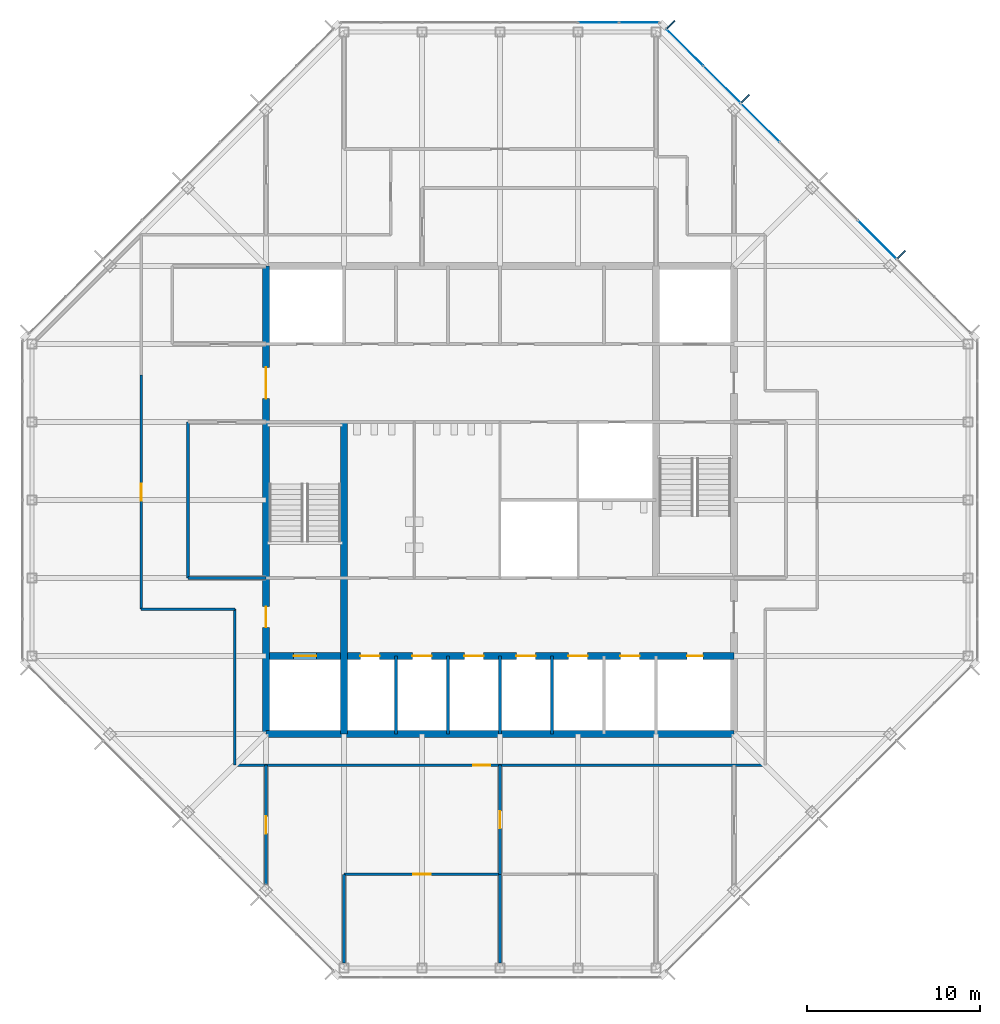
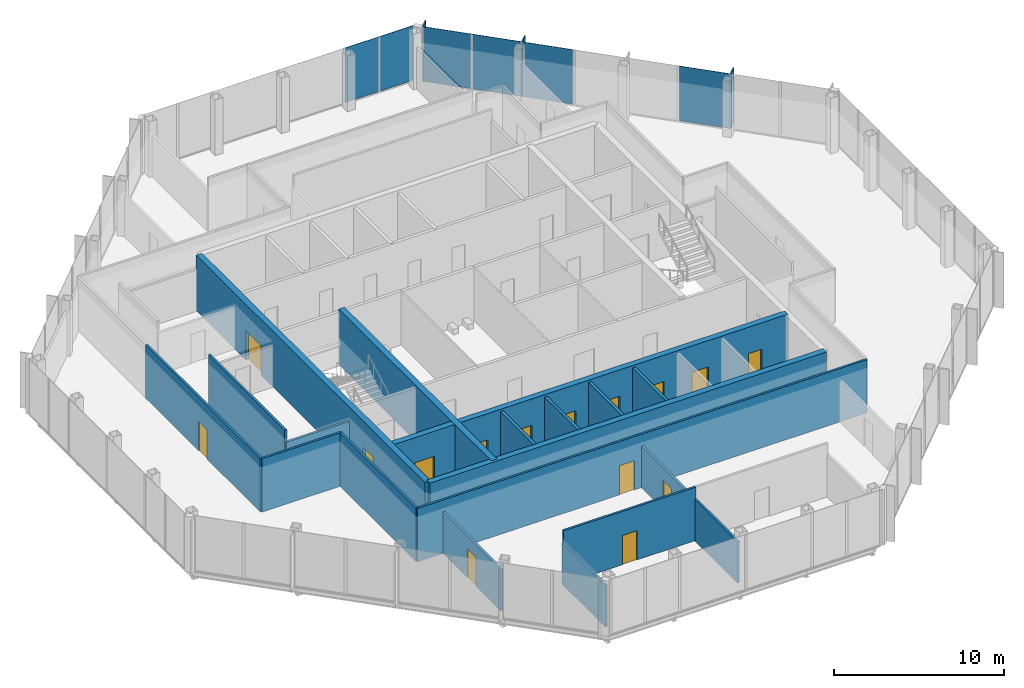
# One storey, part 9 of 13: 19 walls, 15 doors, 9 plates, 15 openings, 2 elements without a shape of their own.
"""IFC4 building model written with IfcOpenShell, lengths in metres."""

from ifc_helpers import new_model, si_unit, direction, frame, frame_2d, origin, origin_2d, place, context, subcontext, project, spatial, rectangle, extrude, material, layer, layer_set, type_object, element, fill, aggregate, save


model = new_model("IFC4")

# Units and contexts
model_context = context("Model", 3, precision=1e-05, world=origin(), true_north=direction((0.0, 1.0)))
body_context = subcontext(model_context, "Body", "Model", "MODEL_VIEW")
ifc_project = project(units=[si_unit("LENGTHUNIT", "METRE"), si_unit("AREAUNIT", "SQUARE_METRE"), si_unit("VOLUMEUNIT", "CUBIC_METRE"), si_unit("PLANEANGLEUNIT", "RADIAN"), si_unit("MASSUNIT", "GRAM", prefix="KILO")], contexts=[model_context])

# Site, building, storey
site_placement = place(None, origin())
site = spatial("IfcSite", under=ifc_project, at=site_placement, CompositionType="ELEMENT")
building_placement = place(site_placement, origin())
building = spatial("IfcBuilding", under=site, at=building_placement, Name="Corais Broadcast Tower", CompositionType="ELEMENT")
storey_placement = place(building_placement, frame((0.0, 0.0, 306.60009765625)))
storey = spatial("IfcBuildingStorey", under=building, at=storey_placement, Name="L72", CompositionType="ELEMENT", Elevation=306.60009765625)

# Curtain wall, plate
ifc_material_1 = material(Name="Aluminium and glass", Category="aluminium")
curtain_wall_type = type_object("IfcCurtainWallType", Name="Unitised fritted curtain wall CW3", PredefinedType="NOTDEFINED", material=ifc_material_1)
curtain_wall_1_placement = place(storey_placement, origin())
curtain_wall_1 = element("IfcCurtainWall", 1, at=curtain_wall_1_placement, inside=storey, type_object=curtain_wall_type, Name="CW3 curtain wall L72 4", PredefinedType="NOTDEFINED")
ifc_material_2 = material(Name="Ceramic-fritted laminated glass", Category="glass")
ifc_layer_1 = layer(ifc_material_2, 0.02587890625)
ifc_layer_set_1 = layer_set([ifc_layer_1], Name="Ceramic-fritted laminated glass")
plate_type_1 = type_object("IfcPlateType", Name="Fritted glass panel CW3", PredefinedType="CURTAIN_PANEL", material=ifc_layer_set_1)
plate_1_placement = place(storey_placement, frame((32.681884765625, 54.550048828125, 0.06494140625), z_axis=(0.0, 0.0, 1.0), x_axis=(1.0, 0.0, 0.0)))
plate_1 = element("IfcPlate", 2, at=plate_1_placement, type_object=plate_type_1, Name="CW3 panel 5", PredefinedType="CURTAIN_PANEL", context=body_context, shape_type="SweptSolid", body=[
    extrude(rectangle(XDim=2.298828125, YDim=0.02587890625, at=origin_2d()), origin(), (0.0, 0.0, 1.0), 3.93505859375),
])

# Curtain wall, plates
curtain_wall_2_placement = place(storey_placement, origin())
curtain_wall_2 = element("IfcCurtainWall", 3, at=curtain_wall_2_placement, inside=storey, type_object=curtain_wall_type, Name="CW3 curtain wall L72 5", PredefinedType="NOTDEFINED")
plate_2_placement = place(storey_placement, frame((37.669677734375, 53.108154296875, 0.06494140625), z_axis=(0.0, 0.0, 1.0), x_axis=(0.707106781187, -0.707106781187, 0.0)))
plate_2 = element("IfcPlate", 4, at=plate_2_placement, type_object=plate_type_1, Name="CW3 panel 1", PredefinedType="CURTAIN_PANEL", context=body_context, shape_type="SweptSolid", body=[
    extrude(rectangle(XDim=2.9482421875, YDim=0.02587890625, at=origin_2d()), origin(), (0.0, 0.0, 1.0), 3.93505859375),
])
plate_3_placement = place(storey_placement, frame((42.013916015625, 48.763916015625, 0.06494140625), z_axis=(0.0, 0.0, 1.0), x_axis=(0.707106781187, -0.707106781187, 0.0)))
plate_3 = element("IfcPlate", 5, at=plate_3_placement, type_object=plate_type_1, Name="CW3 panel 3", PredefinedType="CURTAIN_PANEL", context=body_context, shape_type="SweptSolid", body=[
    extrude(rectangle(XDim=3.116943359375, YDim=0.02587890625, at=origin_2d()), origin(), (0.0, 0.0, 1.0), 3.93505859375),
])

# Plate
ifc_material_3 = material(Name="Clear laminated glass", Category="glass")
ifc_layer_2 = layer(ifc_material_3, 0.030029296875)
ifc_layer_set_2 = layer_set([ifc_layer_2], Name="Clear laminated glass")
plate_type_2 = type_object("IfcPlateType", Name="Operable glass panel CW3", PredefinedType="CURTAIN_PANEL", material=ifc_layer_set_2)
plate_4_placement = place(storey_placement, frame((35.029541015625, 54.550048828125, 0.06494140625), z_axis=(0.0, 0.0, 1.0), x_axis=(1.0, 0.0, 0.0)))
plate_4 = element("IfcPlate", 6, at=plate_4_placement, type_object=plate_type_2, Name="CW3 operable panel 6", PredefinedType="CURTAIN_PANEL", context=body_context, shape_type="SweptSolid", body=[
    extrude(rectangle(XDim=2.266357421875, YDim=0.030029296875, at=origin_2d()), origin(), (0.0, 0.0, 1.0), 3.93505859375),
])

aggregate(curtain_wall_1, [plate_1, plate_4])

plate_5_placement = place(storey_placement, frame((39.81201171875, 50.9658203125, 0.06494140625), z_axis=(0.0, 0.0, 1.0), x_axis=(0.707106781187, -0.707106781187, 0.0)))
plate_5 = element("IfcPlate", 7, at=plate_5_placement, type_object=plate_type_2, Name="CW3 operable panel 2", PredefinedType="CURTAIN_PANEL", context=body_context, shape_type="SweptSolid", body=[
    extrude(rectangle(XDim=2.98095703125, YDim=0.030029296875, at=origin_2d()), origin(), (0.0, 0.0, 1.0), 3.93505859375),
])

plate_6_placement = place(storey_placement, frame((48.763916015625, 42.013916015625, 0.06494140625), z_axis=(0.0, 0.0, 1.0), x_axis=(0.707106781187, -0.707106781187, 0.0)))
plate_6 = element("IfcPlate", 8, at=plate_6_placement, type_object=plate_type_2, Name="CW3 operable panel 6", PredefinedType="CURTAIN_PANEL", context=body_context, shape_type="SweptSolid", body=[
    extrude(rectangle(XDim=3.116943359375, YDim=0.030029296875, at=origin_2d()), origin(), (0.0, 0.0, 1.0), 3.93505859375),
])

aggregate(curtain_wall_2, [plate_2, plate_5, plate_3, plate_6])

# Plates
ifc_material_4 = material(Name="Granite stone cladding", Category="masonry")
ifc_layer_3 = layer(ifc_material_4, 0.080078125)
ifc_layer_set_3 = layer_set([ifc_layer_3], Name="Granite stone cladding")
plate_type_3 = type_object("IfcPlateType", Name="Stone screen fin 80x600", PredefinedType="USERDEFINED", material=ifc_layer_set_3)
for number, where, z_axis, x_axis, name in (
    (9, (36.870849609375, 54.43994140625, 0.0), (0.0, 0.0, 1.0), (0.707106781187, -0.707106781187, 0.0), "SF1 stone screen fin L72"),
    (10, (41.155517578125, 50.155517578125, 0.0), (0.0, 0.0, 1.0), (0.707106781187, -0.707106781187, 0.0), "SF1 stone screen fin L72"),
    (11, (50.155517578125, 41.155517578125, 0.0), (0.0, 0.0, 1.0), (0.707106781187, -0.707106781187, 0.0), "SF1 stone screen fin L72"),
):
    element("IfcPlate", number, at=place(storey_placement, frame(where, z_axis=z_axis, x_axis=x_axis)), inside=storey, type_object=plate_type_3, Name=name, ObjectType="STONE SCREEN FIN", PredefinedType="USERDEFINED", context=body_context, shape_type="SweptSolid", body=[
        extrude(rectangle(XDim=0.080078125, YDim=0.60009765625, at=origin_2d()), origin(), (0.0, 0.0, 1.0), 4.0),
    ])

# Wall
ifc_material_5 = material(Name="Concrete C50/60", Category="concrete")
ifc_layer_4 = layer(ifc_material_5, 0.39990234375)
ifc_layer_set_4 = layer_set([ifc_layer_4], Name="Concrete C50/60")
wall_type_1 = type_object("IfcWallType", Name="Core wall 400", PredefinedType="SHEAR", material=ifc_layer_set_4)
wall_1_placement = place(storey_placement, frame((13.5, 13.5, 0.0), z_axis=(0.0, 0.0, 1.0), x_axis=(1.0, 0.0, 0.0)))
element("IfcWall", 12, at=wall_1_placement, inside=storey, type_object=wall_type_1, Name="CR400 core wall S L72", PredefinedType="SHEAR", context=body_context, shape_type="SweptSolid", body=[
    extrude(rectangle(XDim=27.0, YDim=0.39990234375, at=frame_2d((13.5, 0.0))), origin(), (0.0, 0.0, 1.0), 4.0),
])

# Wall, openings, doors
wall_2_placement = place(storey_placement, frame((13.5, 40.5, 0.0), z_axis=(0.0, 0.0, 1.0), x_axis=(0.0, -1.0, 0.0)))
wall_2 = element("IfcWall", 13, at=wall_2_placement, inside=storey, type_object=wall_type_1, Name="CR400 core wall W L72", PredefinedType="SHEAR", context=body_context, shape_type="SweptSolid", body=[
    extrude(rectangle(XDim=27.0, YDim=0.39990234375, at=frame_2d((13.5, 0.0))), origin(), (0.0, 0.0, 1.0), 4.0),
])
opening_1_placement = place(wall_2_placement, frame((19.64990234375, 0.0, 0.0)))
opening_1 = element("IfcOpeningElement", 14, at=opening_1_placement, cuts=wall_2, Name="Opening FD1", PredefinedType="OPENING", context=body_context, shape_type="SweptSolid", body=[
    extrude(rectangle(XDim=1.199951171875, YDim=2.10009765625, at=frame_2d((0.60009765625, 1.050048828125))), frame((0.0, 0.2099609375, 0.0), z_axis=(0.0, -1.0, 0.0), x_axis=(1.0, 0.0, 0.0)), (0.0, 0.0, 1.0), 0.419921875),
])
opening_2_placement = place(wall_2_placement, frame((5.85009765625, 0.0, 0.0)))
opening_2 = element("IfcOpeningElement", 15, at=opening_2_placement, cuts=wall_2, Name="Opening FD2", PredefinedType="OPENING", context=body_context, shape_type="SweptSolid", body=[
    extrude(rectangle(XDim=1.800048828125, YDim=2.10009765625, at=frame_2d((0.89990234375, 1.050048828125))), frame((0.0, 0.2099609375, 0.0), z_axis=(0.0, -1.0, 0.0), x_axis=(1.0, 0.0, 0.0)), (0.0, 0.0, 1.0), 0.419921875),
])
ifc_material_6 = material(Name="Steel fire door", Category="steel")
door_type_1 = type_object("IfcDoorType", Name="Fire door 1200x2100", OperationType="SINGLE_SWING_LEFT", PredefinedType="DOOR", material=ifc_material_6)
door_1_placement = place(opening_1_placement, origin())
door_1 = element("IfcDoor", 16, at=door_1_placement, inside=storey, type_object=door_type_1, Name="FD1 fire lobby A door L72", OperationType="SINGLE_SWING_RIGHT", OverallHeight=2.10009765625, OverallWidth=1.199951171875, PredefinedType="DOOR", context=body_context, shape_type="SweptSolid", body=[
    extrude(rectangle(XDim=1.199951171875, YDim=2.10009765625, at=frame_2d((0.60009765625, 1.050048828125))), frame((0.0, 0.02490234375, 0.0), z_axis=(0.0, -1.0, 0.0), x_axis=(1.0, 0.0, 0.0)), (0.0, 0.0, 1.0), 0.050048828125),
])
fill(opening_1, door_1)
ifc_material_7 = material(Name="Steel fire door", Category="steel")
door_type_2 = type_object("IfcDoorType", Name="Fire door pair 1800x2100", OperationType="DOUBLE_DOOR_SINGLE_SWING", PredefinedType="DOOR", material=ifc_material_7)
door_2_placement = place(opening_2_placement, origin())
door_2 = element("IfcDoor", 17, at=door_2_placement, inside=storey, type_object=door_type_2, Name="FD2 lift lobby door L72", OperationType="SINGLE_SWING_LEFT", OverallHeight=2.10009765625, OverallWidth=1.800048828125, PredefinedType="DOOR", context=body_context, shape_type="SweptSolid", body=[
    extrude(rectangle(XDim=1.800048828125, YDim=2.10009765625, at=frame_2d((0.89990234375, 1.050048828125))), frame((0.0, 0.02490234375, 0.0), z_axis=(0.0, -1.0, 0.0), x_axis=(1.0, 0.0, 0.0)), (0.0, 0.0, 1.0), 0.050048828125),
])
fill(opening_2, door_2)

# Wall
wall_3_placement = place(storey_placement, frame((18.0, 13.5, 0.0), z_axis=(0.0, 0.0, 1.0), x_axis=(0.0, 1.0, 0.0)))
element("IfcWall", 18, at=wall_3_placement, inside=storey, type_object=wall_type_1, Name="CR400 core wall X18A L72", PredefinedType="SHEAR", context=body_context, shape_type="SweptSolid", body=[
    extrude(rectangle(XDim=18.0, YDim=0.39990234375, at=frame_2d((9.0, 0.0))), origin(), (0.0, 0.0, 1.0), 4.0),
])

# Wall, openings, doors
wall_4_placement = place(storey_placement, frame((13.5, 18.0, 0.0), z_axis=(0.0, 0.0, 1.0), x_axis=(1.0, 0.0, 0.0)))
wall_4 = element("IfcWall", 19, at=wall_4_placement, inside=storey, type_object=wall_type_1, Name="CR400 core wall Y18 L72", PredefinedType="SHEAR", context=body_context, shape_type="SweptSolid", body=[
    extrude(rectangle(XDim=27.0, YDim=0.39990234375, at=frame_2d((13.5, 0.0))), origin(), (0.0, 0.0, 1.0), 4.0),
])
opening_3_placement = place(wall_4_placement, frame((24.300048828125, 0.0, 0.0)))
opening_3 = element("IfcOpeningElement", 20, at=opening_3_placement, cuts=wall_4, Name="Opening RD1", PredefinedType="OPENING", context=body_context, shape_type="SweptSolid", body=[
    extrude(rectangle(XDim=0.89990234375, YDim=2.10009765625, at=frame_2d((0.449951171875, 1.050048828125))), frame((0.0, 0.2099609375, 0.0), z_axis=(0.0, -1.0, 0.0), x_axis=(1.0, 0.0, 0.0)), (0.0, 0.0, 1.0), 0.419921875),
])
opening_4_placement = place(wall_4_placement, frame((5.449951171875, 0.0, 0.0)))
opening_4 = element("IfcOpeningElement", 21, at=opening_4_placement, cuts=wall_4, Name="Opening LD1", PredefinedType="OPENING", context=body_context, shape_type="SweptSolid", body=[
    extrude(rectangle(XDim=1.10009765625, YDim=2.10009765625, at=frame_2d((0.550048828125, 1.050048828125))), frame((0.0, 0.2099609375, 0.0), z_axis=(0.0, -1.0, 0.0), x_axis=(1.0, 0.0, 0.0)), (0.0, 0.0, 1.0), 0.419921875),
])
opening_5_placement = place(wall_4_placement, frame((8.449951171875, 0.0, 0.0)))
opening_5 = element("IfcOpeningElement", 22, at=opening_5_placement, cuts=wall_4, Name="Opening LD1", PredefinedType="OPENING", context=body_context, shape_type="SweptSolid", body=[
    extrude(rectangle(XDim=1.10009765625, YDim=2.10009765625, at=frame_2d((0.550048828125, 1.050048828125))), frame((0.0, 0.2099609375, 0.0), z_axis=(0.0, -1.0, 0.0), x_axis=(1.0, 0.0, 0.0)), (0.0, 0.0, 1.0), 0.419921875),
])
opening_6_placement = place(wall_4_placement, frame((11.449951171875, 0.0, 0.0)))
opening_6 = element("IfcOpeningElement", 23, at=opening_6_placement, cuts=wall_4, Name="Opening LD1", PredefinedType="OPENING", context=body_context, shape_type="SweptSolid", body=[
    extrude(rectangle(XDim=1.10009765625, YDim=2.10009765625, at=frame_2d((0.550048828125, 1.050048828125))), frame((0.0, 0.2099609375, 0.0), z_axis=(0.0, -1.0, 0.0), x_axis=(1.0, 0.0, 0.0)), (0.0, 0.0, 1.0), 0.419921875),
])
opening_7_placement = place(wall_4_placement, frame((14.449951171875, 0.0, 0.0)))
opening_7 = element("IfcOpeningElement", 24, at=opening_7_placement, cuts=wall_4, Name="Opening LD1", PredefinedType="OPENING", context=body_context, shape_type="SweptSolid", body=[
    extrude(rectangle(XDim=1.10009765625, YDim=2.10009765625, at=frame_2d((0.550048828125, 1.050048828125))), frame((0.0, 0.2099609375, 0.0), z_axis=(0.0, -1.0, 0.0), x_axis=(1.0, 0.0, 0.0)), (0.0, 0.0, 1.0), 0.419921875),
])
opening_8_placement = place(wall_4_placement, frame((17.449951171875, 0.0, 0.0)))
opening_8 = element("IfcOpeningElement", 25, at=opening_8_placement, cuts=wall_4, Name="Opening LD1", PredefinedType="OPENING", context=body_context, shape_type="SweptSolid", body=[
    extrude(rectangle(XDim=1.10009765625, YDim=2.10009765625, at=frame_2d((0.550048828125, 1.050048828125))), frame((0.0, 0.2099609375, 0.0), z_axis=(0.0, -1.0, 0.0), x_axis=(1.0, 0.0, 0.0)), (0.0, 0.0, 1.0), 0.419921875),
])
opening_9_placement = place(wall_4_placement, frame((20.449951171875, 0.0, 0.0)))
opening_9 = element("IfcOpeningElement", 26, at=opening_9_placement, cuts=wall_4, Name="Opening LD1", PredefinedType="OPENING", context=body_context, shape_type="SweptSolid", body=[
    extrude(rectangle(XDim=1.10009765625, YDim=2.10009765625, at=frame_2d((0.550048828125, 1.050048828125))), frame((0.0, 0.2099609375, 0.0), z_axis=(0.0, -1.0, 0.0), x_axis=(1.0, 0.0, 0.0)), (0.0, 0.0, 1.0), 0.419921875),
])
opening_10_placement = place(wall_4_placement, frame((1.60009765625, 0.0, 0.0)))
opening_10 = element("IfcOpeningElement", 27, at=opening_10_placement, cuts=wall_4, Name="Opening LD2", PredefinedType="OPENING", context=body_context, shape_type="SweptSolid", body=[
    extrude(rectangle(XDim=1.300048828125, YDim=2.199951171875, at=frame_2d((0.64990234375, 1.10009765625))), frame((0.0, 0.2099609375, 0.0), z_axis=(0.0, -1.0, 0.0), x_axis=(1.0, 0.0, 0.0)), (0.0, 0.0, 1.0), 0.419921875),
])
ifc_material_8 = material(Name="Stainless steel lift door", Category="steel")
door_type_3 = type_object("IfcDoorType", Name="Lift landing door 1100x2100", OperationType="SLIDING_TO_LEFT", PredefinedType="DOOR", material=ifc_material_8)
door_3_placement = place(opening_4_placement, origin())
door_3 = element("IfcDoor", 28, at=door_3_placement, inside=storey, type_object=door_type_3, Name="LD1 PH1 landing door L72", OperationType="SLIDING_TO_LEFT", OverallHeight=2.10009765625, OverallWidth=1.10009765625, PredefinedType="DOOR", context=body_context, shape_type="SweptSolid", body=[
    extrude(rectangle(XDim=1.10009765625, YDim=2.10009765625, at=frame_2d((0.550048828125, 1.050048828125))), frame((0.0, 0.02490234375, 0.0), z_axis=(0.0, -1.0, 0.0), x_axis=(1.0, 0.0, 0.0)), (0.0, 0.0, 1.0), 0.050048828125),
])
fill(opening_4, door_3)
door_4_placement = place(opening_5_placement, origin())
door_4 = element("IfcDoor", 29, at=door_4_placement, inside=storey, type_object=door_type_3, Name="LD1 PH2 landing door L72", OperationType="SLIDING_TO_LEFT", OverallHeight=2.10009765625, OverallWidth=1.10009765625, PredefinedType="DOOR", context=body_context, shape_type="SweptSolid", body=[
    extrude(rectangle(XDim=1.10009765625, YDim=2.10009765625, at=frame_2d((0.550048828125, 1.050048828125))), frame((0.0, 0.02490234375, 0.0), z_axis=(0.0, -1.0, 0.0), x_axis=(1.0, 0.0, 0.0)), (0.0, 0.0, 1.0), 0.050048828125),
])
fill(opening_5, door_4)
door_5_placement = place(opening_6_placement, origin())
door_5 = element("IfcDoor", 30, at=door_5_placement, inside=storey, type_object=door_type_3, Name="LD1 PH3 landing door L72", OperationType="SLIDING_TO_LEFT", OverallHeight=2.10009765625, OverallWidth=1.10009765625, PredefinedType="DOOR", context=body_context, shape_type="SweptSolid", body=[
    extrude(rectangle(XDim=1.10009765625, YDim=2.10009765625, at=frame_2d((0.550048828125, 1.050048828125))), frame((0.0, 0.02490234375, 0.0), z_axis=(0.0, -1.0, 0.0), x_axis=(1.0, 0.0, 0.0)), (0.0, 0.0, 1.0), 0.050048828125),
])
fill(opening_6, door_5)
door_6_placement = place(opening_7_placement, origin())
door_6 = element("IfcDoor", 31, at=door_6_placement, inside=storey, type_object=door_type_3, Name="LD1 PH4 landing door L72", OperationType="SLIDING_TO_LEFT", OverallHeight=2.10009765625, OverallWidth=1.10009765625, PredefinedType="DOOR", context=body_context, shape_type="SweptSolid", body=[
    extrude(rectangle(XDim=1.10009765625, YDim=2.10009765625, at=frame_2d((0.550048828125, 1.050048828125))), frame((0.0, 0.02490234375, 0.0), z_axis=(0.0, -1.0, 0.0), x_axis=(1.0, 0.0, 0.0)), (0.0, 0.0, 1.0), 0.050048828125),
])
fill(opening_7, door_6)
door_7_placement = place(opening_8_placement, origin())
door_7 = element("IfcDoor", 32, at=door_7_placement, inside=storey, type_object=door_type_3, Name="LD1 PH5 landing door L72", OperationType="SLIDING_TO_LEFT", OverallHeight=2.10009765625, OverallWidth=1.10009765625, PredefinedType="DOOR", context=body_context, shape_type="SweptSolid", body=[
    extrude(rectangle(XDim=1.10009765625, YDim=2.10009765625, at=frame_2d((0.550048828125, 1.050048828125))), frame((0.0, 0.02490234375, 0.0), z_axis=(0.0, -1.0, 0.0), x_axis=(1.0, 0.0, 0.0)), (0.0, 0.0, 1.0), 0.050048828125),
])
fill(opening_8, door_7)
door_8_placement = place(opening_9_placement, origin())
door_8 = element("IfcDoor", 33, at=door_8_placement, inside=storey, type_object=door_type_3, Name="LD1 PH6 landing door L72", OperationType="SLIDING_TO_LEFT", OverallHeight=2.10009765625, OverallWidth=1.10009765625, PredefinedType="DOOR", context=body_context, shape_type="SweptSolid", body=[
    extrude(rectangle(XDim=1.10009765625, YDim=2.10009765625, at=frame_2d((0.550048828125, 1.050048828125))), frame((0.0, 0.02490234375, 0.0), z_axis=(0.0, -1.0, 0.0), x_axis=(1.0, 0.0, 0.0)), (0.0, 0.0, 1.0), 0.050048828125),
])
fill(opening_9, door_8)
ifc_material_9 = material(Name="Stainless steel lift door", Category="steel")
door_type_4 = type_object("IfcDoorType", Name="Lift landing door 1300x2200", OperationType="SLIDING_TO_LEFT", PredefinedType="DOOR", material=ifc_material_9)
door_9_placement = place(opening_10_placement, origin())
door_9 = element("IfcDoor", 34, at=door_9_placement, inside=storey, type_object=door_type_4, Name="LD2 FL1 landing door L72", OperationType="SLIDING_TO_LEFT", OverallHeight=2.199951171875, OverallWidth=1.300048828125, PredefinedType="DOOR", context=body_context, shape_type="SweptSolid", body=[
    extrude(rectangle(XDim=1.300048828125, YDim=2.199951171875, at=frame_2d((0.64990234375, 1.10009765625))), frame((0.0, 0.02490234375, 0.0), z_axis=(0.0, -1.0, 0.0), x_axis=(1.0, 0.0, 0.0)), (0.0, 0.0, 1.0), 0.050048828125),
])
fill(opening_10, door_9)
ifc_material_10 = material(Name="Steel fire door", Category="steel")
door_type_5 = type_object("IfcDoorType", Name="Riser door 900x2100", OperationType="SINGLE_SWING_LEFT", PredefinedType="DOOR", material=ifc_material_10)
door_10_placement = place(opening_3_placement, origin())
door_10 = element("IfcDoor", 35, at=door_10_placement, inside=storey, type_object=door_type_5, Name="RD1 riser door L72", OperationType="SINGLE_SWING_RIGHT", OverallHeight=2.10009765625, OverallWidth=0.89990234375, PredefinedType="DOOR", context=body_context, shape_type="SweptSolid", body=[
    extrude(rectangle(XDim=0.89990234375, YDim=2.10009765625, at=frame_2d((0.449951171875, 1.050048828125))), frame((0.0, 0.02490234375, 0.0), z_axis=(0.0, -1.0, 0.0), x_axis=(1.0, 0.0, 0.0)), (0.0, 0.0, 1.0), 0.050048828125),
])
fill(opening_3, door_10)

# Wall, opening, door
ifc_material_11 = material(Name="Gypsum board on steel studs", Category="steel")
ifc_layer_5 = layer(ifc_material_11, 0.14990234375)
ifc_layer_set_5 = layer_set([ifc_layer_5], Name="Gypsum board on steel studs")
wall_type_2 = type_object("IfcWallType", Name="Partition 150", PredefinedType="PARTITIONING", material=ifc_layer_set_5)
wall_5_placement = place(storey_placement, frame((11.699951171875, 11.699951171875, 0.0), z_axis=(0.0, 0.0, 1.0), x_axis=(1.0, 0.0, 0.0)))
wall_5 = element("IfcWall", 36, at=wall_5_placement, inside=storey, type_object=wall_type_2, Name="IW3 corridor wall L72", PredefinedType="PARTITIONING", context=body_context, shape_type="SweptSolid", body=[
    extrude(rectangle(XDim=30.60009765625, YDim=0.14990234375, at=frame_2d((15.300048828125, 0.0))), origin(), (0.0, 0.0, 1.0), 3.83984375),
])
opening_11_placement = place(wall_5_placement, frame((13.75, 0.0, 0.0)))
opening_11 = element("IfcOpeningElement", 37, at=opening_11_placement, cuts=wall_5, Name="Opening D1", PredefinedType="OPENING", context=body_context, shape_type="SweptSolid", body=[
    extrude(rectangle(XDim=1.0, YDim=2.10009765625, at=frame_2d((0.5, 1.050048828125))), frame((0.0, 0.0849609375, 0.0), z_axis=(0.0, -1.0, 0.0), x_axis=(1.0, 0.0, 0.0)), (0.0, 0.0, 1.0), 0.169921875),
])
ifc_material_12 = material(Name="Timber door", Category="wood")
door_type_6 = type_object("IfcDoorType", Name="Single door 1000x2100", OperationType="SINGLE_SWING_LEFT", PredefinedType="DOOR", material=ifc_material_12)
door_11_placement = place(opening_11_placement, origin())
door_11 = element("IfcDoor", 38, at=door_11_placement, inside=storey, type_object=door_type_6, Name="D1 workplace door L72", OperationType="SINGLE_SWING_LEFT", OverallHeight=2.10009765625, OverallWidth=1.0, PredefinedType="DOOR", context=body_context, shape_type="SweptSolid", body=[
    extrude(rectangle(XDim=1.0, YDim=2.10009765625, at=frame_2d((0.5, 1.050048828125))), frame((0.0, 0.02490234375, 0.0), z_axis=(0.0, -1.0, 0.0), x_axis=(1.0, 0.0, 0.0)), (0.0, 0.0, 1.0), 0.050048828125),
])
fill(opening_11, door_11)

wall_6_placement = place(storey_placement, frame((6.300048828125, 34.199951171875, 0.0), z_axis=(0.0, 0.0, 1.0), x_axis=(0.0, -1.0, 0.0)))
wall_6 = element("IfcWall", 39, at=wall_6_placement, inside=storey, type_object=wall_type_2, Name="IW3 corridor wall L72", PredefinedType="PARTITIONING", context=body_context, shape_type="SweptSolid", body=[
    extrude(rectangle(XDim=13.5, YDim=0.14990234375, at=frame_2d((6.75, 0.0))), origin(), (0.0, 0.0, 1.0), 3.83984375),
])
opening_12_placement = place(wall_6_placement, frame((6.25, 0.0, 0.0)))
opening_12 = element("IfcOpeningElement", 40, at=opening_12_placement, cuts=wall_6, Name="Opening D1", PredefinedType="OPENING", context=body_context, shape_type="SweptSolid", body=[
    extrude(rectangle(XDim=1.0, YDim=2.10009765625, at=frame_2d((0.5, 1.050048828125))), frame((0.0, 0.0849609375, 0.0), z_axis=(0.0, -1.0, 0.0), x_axis=(1.0, 0.0, 0.0)), (0.0, 0.0, 1.0), 0.169921875),
])
door_12_placement = place(opening_12_placement, origin())
door_12 = element("IfcDoor", 41, at=door_12_placement, inside=storey, type_object=door_type_6, Name="D1 workplace door L72", OperationType="SINGLE_SWING_LEFT", OverallHeight=2.10009765625, OverallWidth=1.0, PredefinedType="DOOR", context=body_context, shape_type="SweptSolid", body=[
    extrude(rectangle(XDim=1.0, YDim=2.10009765625, at=frame_2d((0.5, 1.050048828125))), frame((0.0, 0.02490234375, 0.0), z_axis=(0.0, -1.0, 0.0), x_axis=(1.0, 0.0, 0.0)), (0.0, 0.0, 1.0), 0.050048828125),
])
fill(opening_12, door_12)

# Walls
wall_7_placement = place(storey_placement, frame((11.699951171875, 20.699951171875, 0.0), z_axis=(0.0, 0.0, 1.0), x_axis=(0.0, -1.0, 0.0)))
element("IfcWall", 42, at=wall_7_placement, inside=storey, type_object=wall_type_2, Name="IW3 corridor wall L72", PredefinedType="PARTITIONING", context=body_context, shape_type="SweptSolid", body=[
    extrude(rectangle(XDim=9.0, YDim=0.14990234375, at=frame_2d((4.5, 0.0))), origin(), (0.0, 0.0, 1.0), 3.83984375),
])
wall_8_placement = place(storey_placement, frame((6.300048828125, 20.699951171875, 0.0), z_axis=(0.0, 0.0, 1.0), x_axis=(1.0, 0.0, 0.0)))
element("IfcWall", 43, at=wall_8_placement, inside=storey, type_object=wall_type_2, Name="IW3 corridor wall L72", PredefinedType="PARTITIONING", context=body_context, shape_type="SweptSolid", body=[
    extrude(rectangle(XDim=5.39990234375, YDim=0.14990234375, at=frame_2d((2.699951171875, 0.0))), origin(), (0.0, 0.0, 1.0), 3.83984375),
])
wall_9_placement = place(storey_placement, frame((27.0, 0.284912109375, 0.0), z_axis=(0.0, 0.0, 1.0), x_axis=(0.0, 1.0, 0.0)))
element("IfcWall", 44, at=wall_9_placement, inside=storey, type_object=wall_type_2, Name="IW3 partition L72", PredefinedType="PARTITIONING", context=body_context, shape_type="SweptSolid", body=[
    extrude(rectangle(XDim=5.114990234375, YDim=0.14990234375, at=frame_2d((2.5576171875, 0.0))), origin(), (0.0, 0.0, 1.0), 2.989013671875),
])

# Wall, opening, door
wall_10_placement = place(storey_placement, frame((27.0, 5.39990234375, 0.0), z_axis=(0.0, 0.0, 1.0), x_axis=(-1.0, 0.0, 0.0)))
wall_10 = element("IfcWall", 45, at=wall_10_placement, inside=storey, type_object=wall_type_2, Name="IW3 partition L72", PredefinedType="PARTITIONING", context=body_context, shape_type="SweptSolid", body=[
    extrude(rectangle(XDim=9.0, YDim=0.14990234375, at=frame_2d((4.5, 0.0))), origin(), (0.0, 0.0, 1.0), 3.83984375),
])
opening_13_placement = place(wall_10_placement, frame((4.0, 0.0, 0.0)))
opening_13 = element("IfcOpeningElement", 46, at=opening_13_placement, cuts=wall_10, Name="Opening D1", PredefinedType="OPENING", context=body_context, shape_type="SweptSolid", body=[
    extrude(rectangle(XDim=1.0, YDim=2.10009765625, at=frame_2d((0.5, 1.050048828125))), frame((0.0, 0.0849609375, 0.0), z_axis=(0.0, -1.0, 0.0), x_axis=(1.0, 0.0, 0.0)), (0.0, 0.0, 1.0), 0.169921875),
])
door_13_placement = place(opening_13_placement, origin())
door_13 = element("IfcDoor", 47, at=door_13_placement, inside=storey, type_object=door_type_6, Name="D1 Hospitality meeting room door", OperationType="SINGLE_SWING_LEFT", OverallHeight=2.10009765625, OverallWidth=1.0, PredefinedType="DOOR", context=body_context, shape_type="SweptSolid", body=[
    extrude(rectangle(XDim=1.0, YDim=2.10009765625, at=frame_2d((0.5, 1.050048828125))), frame((0.0, 0.02490234375, 0.0), z_axis=(0.0, -1.0, 0.0), x_axis=(1.0, 0.0, 0.0)), (0.0, 0.0, 1.0), 0.050048828125),
])
fill(opening_13, door_13)

# Walls
wall_11_placement = place(storey_placement, frame((18.0, 5.39990234375, 0.0), z_axis=(0.0, 0.0, 1.0), x_axis=(0.0, -1.0, 0.0)))
element("IfcWall", 48, at=wall_11_placement, inside=storey, type_object=wall_type_2, Name="IW3 partition L72", PredefinedType="PARTITIONING", context=body_context, shape_type="SweptSolid", body=[
    extrude(rectangle(XDim=5.114990234375, YDim=0.14990234375, at=frame_2d((2.5576171875, 0.0))), origin(), (0.0, 0.0, 1.0), 2.989013671875),
])
wall_12_placement = place(storey_placement, frame((9.0, 22.5, 0.0), z_axis=(0.0, 0.0, 1.0), x_axis=(1.0, 0.0, 0.0)))
element("IfcWall", 49, at=wall_12_placement, inside=storey, type_object=wall_type_2, Name="IW3 partition L72", PredefinedType="PARTITIONING", context=body_context, shape_type="SweptSolid", body=[
    extrude(rectangle(XDim=4.5, YDim=0.14990234375, at=frame_2d((2.25, 0.0))), origin(), (0.0, 0.0, 1.0), 2.989013671875),
])
wall_13_placement = place(storey_placement, frame((9.0, 31.5, 0.0), z_axis=(0.0, 0.0, 1.0), x_axis=(0.0, -1.0, 0.0)))
element("IfcWall", 50, at=wall_13_placement, inside=storey, type_object=wall_type_2, Name="IW3 partition L72", PredefinedType="PARTITIONING", context=body_context, shape_type="SweptSolid", body=[
    extrude(rectangle(XDim=9.0, YDim=0.14990234375, at=frame_2d((4.5, 0.0))), origin(), (0.0, 0.0, 1.0), 3.83984375),
])

# Wall, opening, door
wall_14_placement = place(storey_placement, frame((13.5, 4.794921875, 0.0), z_axis=(0.0, 0.0, 1.0), x_axis=(0.0, 1.0, 0.0)))
wall_14 = element("IfcWall", 51, at=wall_14_placement, inside=storey, type_object=wall_type_2, Name="IW3 partition L72", PredefinedType="PARTITIONING", context=body_context, shape_type="SweptSolid", body=[
    extrude(rectangle(XDim=6.905029296875, YDim=0.14990234375, at=frame_2d((3.45263671875, 0.0))), origin(), (0.0, 0.0, 1.0), 2.989013671875),
])
opening_14_placement = place(wall_14_placement, frame((2.952392578125, 0.0, 0.0)))
opening_14 = element("IfcOpeningElement", 52, at=opening_14_placement, cuts=wall_14, Name="Opening D1", PredefinedType="OPENING", context=body_context, shape_type="SweptSolid", body=[
    extrude(rectangle(XDim=1.0, YDim=2.10009765625, at=frame_2d((0.5, 1.050048828125))), frame((0.0, 0.0849609375, 0.0), z_axis=(0.0, -1.0, 0.0), x_axis=(1.0, 0.0, 0.0)), (0.0, 0.0, 1.0), 0.169921875),
])
door_14_placement = place(opening_14_placement, origin())
door_14 = element("IfcDoor", 53, at=door_14_placement, inside=storey, type_object=door_type_6, Name="D1 team room door L72", OperationType="SINGLE_SWING_LEFT", OverallHeight=2.10009765625, OverallWidth=1.0, PredefinedType="DOOR", context=body_context, shape_type="SweptSolid", body=[
    extrude(rectangle(XDim=1.0, YDim=2.10009765625, at=frame_2d((0.5, 1.050048828125))), frame((0.0, 0.02490234375, 0.0), z_axis=(0.0, -1.0, 0.0), x_axis=(1.0, 0.0, 0.0)), (0.0, 0.0, 1.0), 0.050048828125),
])
fill(opening_14, door_14)

wall_15_placement = place(storey_placement, frame((27.0, 11.699951171875, 0.0), z_axis=(0.0, 0.0, 1.0), x_axis=(0.0, -1.0, 0.0)))
wall_15 = element("IfcWall", 54, at=wall_15_placement, inside=storey, type_object=wall_type_2, Name="IW3 partition L72", PredefinedType="PARTITIONING", context=body_context, shape_type="SweptSolid", body=[
    extrude(rectangle(XDim=6.300048828125, YDim=0.14990234375, at=frame_2d((3.14990234375, 0.0))), origin(), (0.0, 0.0, 1.0), 2.989013671875),
])
opening_15_placement = place(wall_15_placement, frame((2.64990234375, 0.0, 0.0)))
opening_15 = element("IfcOpeningElement", 55, at=opening_15_placement, cuts=wall_15, Name="Opening D1", PredefinedType="OPENING", context=body_context, shape_type="SweptSolid", body=[
    extrude(rectangle(XDim=1.0, YDim=2.10009765625, at=frame_2d((0.5, 1.050048828125))), frame((0.0, 0.0849609375, 0.0), z_axis=(0.0, -1.0, 0.0), x_axis=(1.0, 0.0, 0.0)), (0.0, 0.0, 1.0), 0.169921875),
])
door_15_placement = place(opening_15_placement, origin())
door_15 = element("IfcDoor", 56, at=door_15_placement, inside=storey, type_object=door_type_6, Name="D1 team room door L72", OperationType="SINGLE_SWING_LEFT", OverallHeight=2.10009765625, OverallWidth=1.0, PredefinedType="DOOR", context=body_context, shape_type="SweptSolid", body=[
    extrude(rectangle(XDim=1.0, YDim=2.10009765625, at=frame_2d((0.5, 1.050048828125))), frame((0.0, 0.02490234375, 0.0), z_axis=(0.0, -1.0, 0.0), x_axis=(1.0, 0.0, 0.0)), (0.0, 0.0, 1.0), 0.050048828125),
])
fill(opening_15, door_15)

# Walls
ifc_material_13 = material(Name="Concrete blockwork class A, grouted, two-hour", Category="masonry")
ifc_layer_6 = layer(ifc_material_13, 0.199951171875)
ifc_layer_set_6 = layer_set([ifc_layer_6], Name="Concrete blockwork class A, grouted, two-hour")
wall_type_3 = type_object("IfcWallType", Name="Shaft wall 200", PredefinedType="PARTITIONING", material=ifc_layer_set_6)
for number, where, z_axis, x_axis, name in (
    (57, (21.0, 13.5, 0.0), (0.0, 0.0, 1.0), (0.0, 1.0, 0.0), "IW1 shaft wall L72"),
    (58, (24.0, 13.5, 0.0), (0.0, 0.0, 1.0), (0.0, 1.0, 0.0), "IW1 shaft wall L72"),
    (59, (27.0, 13.5, 0.0), (0.0, 0.0, 1.0), (0.0, 1.0, 0.0), "IW1 shaft wall L72"),
    (60, (30.0, 13.5, 0.0), (0.0, 0.0, 1.0), (0.0, 1.0, 0.0), "IW1 shaft wall L72"),
):
    element("IfcWall", number, at=place(storey_placement, frame(where, z_axis=z_axis, x_axis=x_axis)), inside=storey, type_object=wall_type_3, Name=name, PredefinedType="PARTITIONING", context=body_context, shape_type="SweptSolid", body=[
        extrude(rectangle(XDim=4.5, YDim=0.199951171875, at=frame_2d((2.25, 0.0))), origin(), (0.0, 0.0, 1.0), 3.83984375),
    ])

save(model, "model.ifc")
